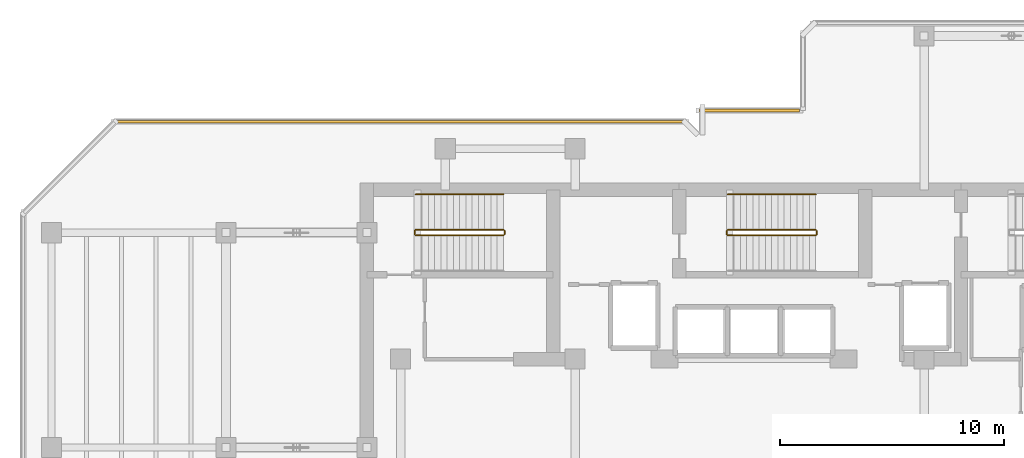
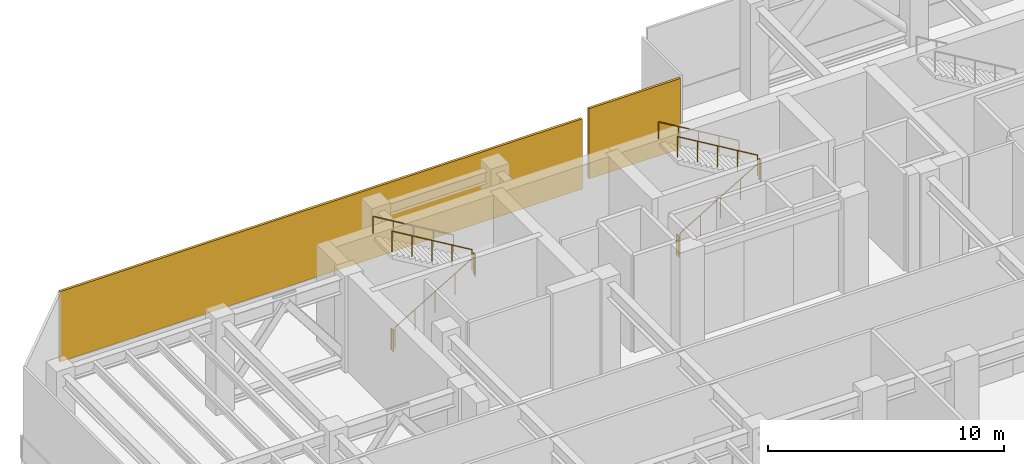
# One storey, part 7 of 9: 10 railings, 2 shading devices.
"""IFC4 building model written with IfcOpenShell, lengths in metres."""

from ifc_helpers import new_model, si_unit, direction, frame, origin, origin_2d, place, context, subcontext, project, spatial, rectangle, circle, extrude, material, layer, layer_set, type_object, element, save


model = new_model("IFC4")

# Units and contexts
model_context = context("Model", 3, precision=1e-05, world=origin(), true_north=direction((0.0, 1.0)))
body_context = subcontext(model_context, "Body", "Model", "MODEL_VIEW")
ifc_project = project(units=[si_unit("LENGTHUNIT", "METRE"), si_unit("AREAUNIT", "SQUARE_METRE"), si_unit("VOLUMEUNIT", "CUBIC_METRE"), si_unit("PLANEANGLEUNIT", "RADIAN"), si_unit("MASSUNIT", "GRAM", prefix="KILO")], contexts=[model_context])

# Site, building, storey
site_placement = place(None, origin())
site = spatial("IfcSite", under=ifc_project, at=site_placement, CompositionType="ELEMENT")
building_placement = place(site_placement, origin())
building = spatial("IfcBuilding", under=site, at=building_placement, Name="Kestravale Grand Hotel", CompositionType="ELEMENT")
storey_placement = place(building_placement, frame((0.0, 0.0, 240.39990234375)))
storey = spatial("IfcBuildingStorey", under=building, at=storey_placement, Name="L60", CompositionType="ELEMENT", Elevation=240.39990234375)

# Railings
ifc_material_1 = material(Name="Painted tubular steel stair well guard", Category="steel")
railing_type_1 = type_object("IfcRailingType", Name="RL-ST-GRD1100", PredefinedType="GUARDRAIL", material=ifc_material_1)
railing_1_placement = place(storey_placement, frame((24.080078125, 38.280029296875, 0.166748046875)))
element("IfcRailing", 1, at=railing_1_placement, inside=storey, type_object=railing_type_1, Name="L60 ST-1 stair guard 1", PredefinedType="GUARDRAIL", context=body_context, shape_type="SweptSolid", body=[
    extrude(circle(Radius=0.02392578125, at=origin_2d()), frame((0.0, 0.0, 1.076171875), z_axis=(0.859296244711, 0.0, 0.511478214419), x_axis=(0.0, 1.0, 0.0)), (0.0, 0.0, 1.0), 4.561767578125),
    extrude(circle(Radius=0.02099609375, at=origin_2d()), origin(), (0.0, 0.0, 1.0), 1.052001953125),
    extrude(circle(Radius=0.02099609375, at=origin_2d()), frame((0.97998046875, 0.0, 0.583251953125)), (0.0, 0.0, 1.0), 1.052001953125),
    extrude(circle(Radius=0.02099609375, at=origin_2d()), frame((1.9599609375, 0.0, 1.16650390625)), (0.0, 0.0, 1.0), 1.052001953125),
    extrude(circle(Radius=0.02099609375, at=origin_2d()), frame((2.93994140625, 0.0, 1.75)), (0.0, 0.0, 1.0), 1.052001953125),
    extrude(circle(Radius=0.02099609375, at=origin_2d()), frame((3.919921875, 0.0, 2.333251953125)), (0.0, 0.0, 1.0), 1.052001953125),
])
railing_2_placement = place(storey_placement, frame((28.050048828125, 38.330078125, 2.5)))
element("IfcRailing", 2, at=railing_2_placement, inside=storey, type_object=railing_type_1, Name="L60 ST-1 stair guard 2", PredefinedType="GUARDRAIL", context=body_context, shape_type="SweptSolid", body=[
    extrude(circle(Radius=0.02392578125, at=origin_2d()), frame((0.0, 0.0, 1.076171875), z_axis=(0.0, 1.0, 0.0), x_axis=(-1.0, 0.0, 0.0)), (0.0, 0.0, 1.0), 0.14990234375),
    extrude(circle(Radius=0.02099609375, at=origin_2d()), origin(), (0.0, 0.0, 1.0), 1.052001953125),
    extrude(circle(Radius=0.02099609375, at=origin_2d()), frame((0.0, 0.14990234375, 0.0)), (0.0, 0.0, 1.0), 1.052001953125),
])
railing_3_placement = place(storey_placement, frame((28.0, 38.530029296875, 2.666748046875)))
element("IfcRailing", 3, at=railing_3_placement, inside=storey, type_object=railing_type_1, Name="L60 ST-1 stair guard 3", PredefinedType="GUARDRAIL", context=body_context, shape_type="SweptSolid", body=[
    extrude(circle(Radius=0.02392578125, at=origin_2d()), frame((0.0, 0.0, 1.076171875), z_axis=(-0.859296244711, 0.0, 0.511478214419), x_axis=(0.0, -1.0, 0.0)), (0.0, 0.0, 1.0), 4.561767578125),
    extrude(circle(Radius=0.02099609375, at=origin_2d()), origin(), (0.0, 0.0, 1.0), 1.052001953125),
    extrude(circle(Radius=0.02099609375, at=origin_2d()), frame((-0.97998046875, 0.0, 0.583251953125)), (0.0, 0.0, 1.0), 1.052001953125),
    extrude(circle(Radius=0.02099609375, at=origin_2d()), frame((-1.9599609375, 0.0, 1.16650390625)), (0.0, 0.0, 1.0), 1.052001953125),
    extrude(circle(Radius=0.02099609375, at=origin_2d()), frame((-2.93994140625, 0.0, 1.75)), (0.0, 0.0, 1.0), 1.052001953125),
    extrude(circle(Radius=0.02099609375, at=origin_2d()), frame((-3.919921875, 0.0, 2.333251953125)), (0.0, 0.0, 1.0), 1.052001953125),
])
railing_4_placement = place(storey_placement, frame((24.030029296875, 38.330078125, 0.0)))
element("IfcRailing", 4, at=railing_4_placement, inside=storey, type_object=railing_type_1, Name="L60 ST-1 stair guard 4", PredefinedType="GUARDRAIL", context=body_context, shape_type="SweptSolid", body=[
    extrude(circle(Radius=0.02392578125, at=origin_2d()), frame((0.0, 0.0, 1.076171875), z_axis=(0.0, 1.0, 0.0), x_axis=(-1.0, 0.0, 0.0)), (0.0, 0.0, 1.0), 0.14990234375),
    extrude(circle(Radius=0.02099609375, at=origin_2d()), origin(), (0.0, 0.0, 1.0), 1.052001953125),
    extrude(circle(Radius=0.02099609375, at=origin_2d()), frame((0.0, 0.14990234375, 0.0)), (0.0, 0.0, 1.0), 1.052001953125),
])
railing_5_placement = place(storey_placement, frame((38.030029296875, 38.280029296875, 0.166748046875)))
element("IfcRailing", 5, at=railing_5_placement, inside=storey, type_object=railing_type_1, Name="L60 ST-2 stair guard 1", PredefinedType="GUARDRAIL", context=body_context, shape_type="SweptSolid", body=[
    extrude(circle(Radius=0.02392578125, at=origin_2d()), frame((0.0, 0.0, 1.076171875), z_axis=(0.859296244711, 0.0, 0.511478214419), x_axis=(0.0, 1.0, 0.0)), (0.0, 0.0, 1.0), 4.561767578125),
    extrude(circle(Radius=0.02099609375, at=origin_2d()), origin(), (0.0, 0.0, 1.0), 1.052001953125),
    extrude(circle(Radius=0.02099609375, at=origin_2d()), frame((0.97998046875, 0.0, 0.583251953125)), (0.0, 0.0, 1.0), 1.052001953125),
    extrude(circle(Radius=0.02099609375, at=origin_2d()), frame((1.9599609375, 0.0, 1.16650390625)), (0.0, 0.0, 1.0), 1.052001953125),
    extrude(circle(Radius=0.02099609375, at=origin_2d()), frame((2.93994140625, 0.0, 1.75)), (0.0, 0.0, 1.0), 1.052001953125),
    extrude(circle(Radius=0.02099609375, at=origin_2d()), frame((3.919921875, 0.0, 2.333251953125)), (0.0, 0.0, 1.0), 1.052001953125),
])
railing_6_placement = place(storey_placement, frame((42.0, 38.330078125, 2.5)))
element("IfcRailing", 6, at=railing_6_placement, inside=storey, type_object=railing_type_1, Name="L60 ST-2 stair guard 2", PredefinedType="GUARDRAIL", context=body_context, shape_type="SweptSolid", body=[
    extrude(circle(Radius=0.02392578125, at=origin_2d()), frame((0.0, 0.0, 1.076171875), z_axis=(0.0, 1.0, 0.0), x_axis=(-1.0, 0.0, 0.0)), (0.0, 0.0, 1.0), 0.14990234375),
    extrude(circle(Radius=0.02099609375, at=origin_2d()), origin(), (0.0, 0.0, 1.0), 1.052001953125),
    extrude(circle(Radius=0.02099609375, at=origin_2d()), frame((0.0, 0.14990234375, 0.0)), (0.0, 0.0, 1.0), 1.052001953125),
])
railing_7_placement = place(storey_placement, frame((41.949951171875, 38.530029296875, 2.666748046875)))
element("IfcRailing", 7, at=railing_7_placement, inside=storey, type_object=railing_type_1, Name="L60 ST-2 stair guard 3", PredefinedType="GUARDRAIL", context=body_context, shape_type="SweptSolid", body=[
    extrude(circle(Radius=0.02392578125, at=origin_2d()), frame((0.0, 0.0, 1.076171875), z_axis=(-0.859296244711, 0.0, 0.511478214419), x_axis=(0.0, -1.0, 0.0)), (0.0, 0.0, 1.0), 4.561767578125),
    extrude(circle(Radius=0.02099609375, at=origin_2d()), origin(), (0.0, 0.0, 1.0), 1.052001953125),
    extrude(circle(Radius=0.02099609375, at=origin_2d()), frame((-0.97998046875, 0.0, 0.583251953125)), (0.0, 0.0, 1.0), 1.052001953125),
    extrude(circle(Radius=0.02099609375, at=origin_2d()), frame((-1.9599609375, 0.0, 1.16650390625)), (0.0, 0.0, 1.0), 1.052001953125),
    extrude(circle(Radius=0.02099609375, at=origin_2d()), frame((-2.93994140625, 0.0, 1.75)), (0.0, 0.0, 1.0), 1.052001953125),
    extrude(circle(Radius=0.02099609375, at=origin_2d()), frame((-3.919921875, 0.0, 2.333251953125)), (0.0, 0.0, 1.0), 1.052001953125),
])
railing_8_placement = place(storey_placement, frame((37.97998046875, 38.330078125, 0.0)))
element("IfcRailing", 8, at=railing_8_placement, inside=storey, type_object=railing_type_1, Name="L60 ST-2 stair guard 4", PredefinedType="GUARDRAIL", context=body_context, shape_type="SweptSolid", body=[
    extrude(circle(Radius=0.02392578125, at=origin_2d()), frame((0.0, 0.0, 1.076171875), z_axis=(0.0, 1.0, 0.0), x_axis=(-1.0, 0.0, 0.0)), (0.0, 0.0, 1.0), 0.14990234375),
    extrude(circle(Radius=0.02099609375, at=origin_2d()), origin(), (0.0, 0.0, 1.0), 1.052001953125),
    extrude(circle(Radius=0.02099609375, at=origin_2d()), frame((0.0, 0.14990234375, 0.0)), (0.0, 0.0, 1.0), 1.052001953125),
])
ifc_material_2 = material(Name="Brushed stainless steel wall handrail", Category="steel")
railing_type_2 = type_object("IfcRailingType", Name="RL-ST-HND900", PredefinedType="HANDRAIL", material=ifc_material_2)
for number, where, name in (
    (9, (28.0, 40.110107421875, 2.666748046875), "L60 ST-1 stair handrail 2"),
    (10, (41.949951171875, 40.110107421875, 2.666748046875), "L60 ST-2 stair handrail 2"),
):
    element("IfcRailing", number, at=place(storey_placement, frame(where)), inside=storey, type_object=railing_type_2, Name=name, PredefinedType="HANDRAIL", context=body_context, shape_type="SweptSolid", body=[
        extrude(circle(Radius=0.02392578125, at=origin_2d()), frame((0.0, 0.0, 0.8759765625), z_axis=(-0.859296244711, 0.0, 0.511478214419), x_axis=(0.0, -1.0, 0.0)), (0.0, 0.0, 1.0), 4.561767578125),
        extrude(circle(Radius=0.02099609375, at=origin_2d()), origin(), (0.0, 0.0, 1.0), 0.851806640625),
        extrude(circle(Radius=0.02099609375, at=origin_2d()), frame((-0.97998046875, 0.0, 0.583251953125)), (0.0, 0.0, 1.0), 0.851806640625),
        extrude(circle(Radius=0.02099609375, at=origin_2d()), frame((-1.9599609375, 0.0, 1.16650390625)), (0.0, 0.0, 1.0), 0.851806640625),
        extrude(circle(Radius=0.02099609375, at=origin_2d()), frame((-2.93994140625, 0.0, 1.75)), (0.0, 0.0, 1.0), 0.851806640625),
        extrude(circle(Radius=0.02099609375, at=origin_2d()), frame((-3.919921875, 0.0, 2.333251953125)), (0.0, 0.0, 1.0), 0.851806640625),
    ])

# Shading devices
ifc_material_3 = material(Name="Anodised bronze storm-proof acoustic ventilation louvre", Category="aluminium")
ifc_layer = layer(ifc_material_3, 0.1201171875)
ifc_layer_set = layer_set([ifc_layer], Name="SHD-LVR-REF")
shading_device_type = type_object("IfcShadingDeviceType", Name="SHD-LVR-REF", PredefinedType="JALOUSIE", material=ifc_layer_set)
shading_device_1_placement = place(storey_placement, frame((39.0, 43.860107421875, 1.130126953125), z_axis=(0.0, 0.0, 1.0), x_axis=(-1.0, 0.0, 0.0)))
element("IfcShadingDevice", 11, at=shading_device_1_placement, inside=storey, type_object=shading_device_type, Name="L60 mechanical refuge chevron louvre 14", PredefinedType="JALOUSIE", context=body_context, shape_type="SweptSolid", body=[
    extrude(rectangle(XDim=4.47998046875, YDim=0.1201171875, at=origin_2d()), origin(), (0.0, 0.0, 1.0), 3.6298828125),
])
shading_device_2_placement = place(storey_placement, frame((23.375, 43.360107421875, 1.130126953125), z_axis=(0.0, 0.0, 1.0), x_axis=(-1.0, 0.0, 0.0)))
element("IfcShadingDevice", 12, at=shading_device_2_placement, inside=storey, type_object=shading_device_type, Name="L60 mechanical refuge chevron louvre 17", PredefinedType="JALOUSIE", context=body_context, shape_type="SweptSolid", body=[
    extrude(rectangle(XDim=25.530029296875, YDim=0.1201171875, at=origin_2d()), origin(), (0.0, 0.0, 1.0), 3.6298828125),
])

save(model, "model.ifc")
